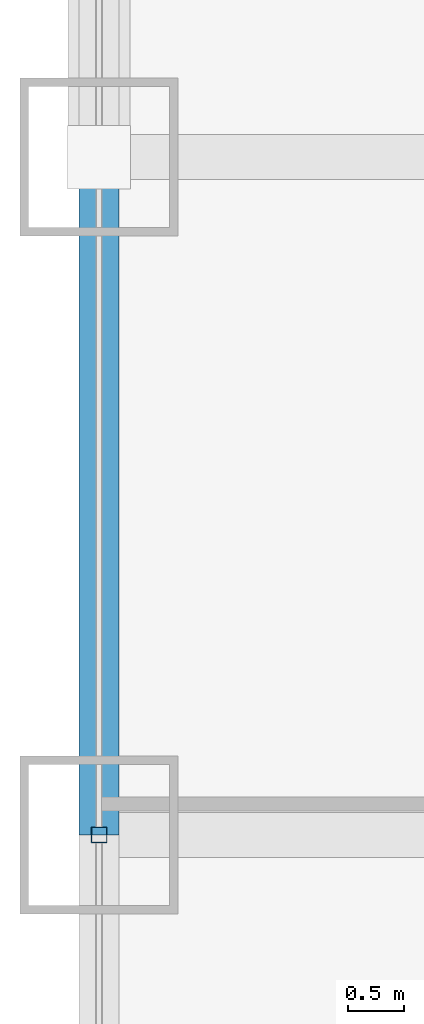
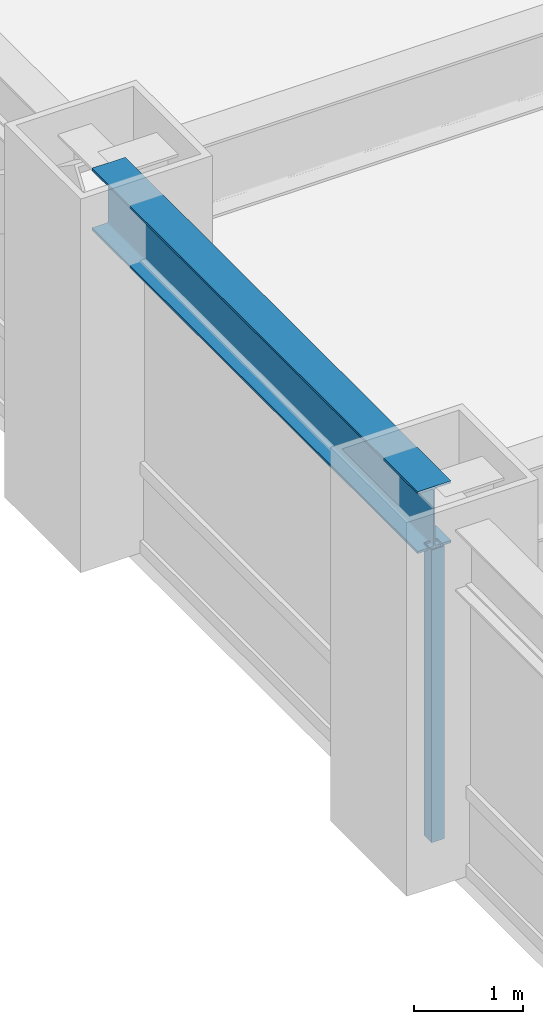
# One storey, part 8 of 32: 1 beam, 1 member, 1 element without a shape of its own.
"""IFC4 building model written with IfcOpenShell, lengths in metres."""

import ifcopenshell
import ifcopenshell.guid

model = None  # the IFC model being written
_history = None  # IfcOwnerHistory: only IFC2X3 demands one
_inside = {}  # id of a spatial element -> (the spatial element, [elements in it])
_under = {}  # id of a project, library or spatial element -> (it, [spatial elements below it])
_declared = {}  # id of a project -> (the project, [libraries it declares])
_typed = {}  # id of a type object -> (the type object, [elements of that type])
_made_of = {}  # id of a material, layer set ... -> (it, [elements and type objects made of it])


def new_model(schema):
    """Start an empty IFC model of exactly this schema.

    Asked for "IFC4X3", IfcOpenShell would pick the latest addendum, in which some entities
    have other attributes; the version numbers below select the first issue.
    IFC2X3 requires an IfcOwnerHistory on every rooted entity: one is made here for all.
    """
    global model, _history
    if schema == "IFC4X3":
        model = ifcopenshell.file(schema_version=(4, 3, 0, 0))
    else:
        model = ifcopenshell.file(schema=schema)
    _inside.clear()
    _under.clear()
    _declared.clear()
    _typed.clear()
    _made_of.clear()
    _history = None
    if model.schema == "IFC2X3":
        org = make("IfcOrganization", Name="unknown")
        user = make(
            "IfcPersonAndOrganization",
            ThePerson=make("IfcPerson", FamilyName="unknown"),
            TheOrganization=org,
        )
        app = make(
            "IfcApplication",
            ApplicationDeveloper=org,
            Version="unknown",
            ApplicationFullName="unknown",
            ApplicationIdentifier="unknown",
        )
        _history = make(
            "IfcOwnerHistory",
            OwningUser=user,
            OwningApplication=app,
            ChangeAction="ADDED",
            CreationDate=0,
        )
    return model


def make(cls, **values):
    """One entity of the class cls with the attributes given. An attribute that is None is left unset."""
    return model.create_entity(
        cls, **{name: value for name, value in values.items() if value is not None}
    )


def rooted(cls, **values):
    """An entity with a GlobalId (a new one), such as an element, a storey or a relation."""
    return make(cls, GlobalId=ifcopenshell.guid.new(), OwnerHistory=_history, **values)


def si_unit(unit_type, name, prefix=None):
    """IfcSIUnit, for example si_unit("LENGTHUNIT", "METRE", prefix="MILLI")."""
    return make("IfcSIUnit", UnitType=unit_type, Prefix=prefix, Name=name)


def assignment(units):
    """IfcUnitAssignment: the units of a project."""
    return None if units is None else make("IfcUnitAssignment", Units=units)


def point(xyz):
    """IfcCartesianPoint."""
    return None if xyz is None else make("IfcCartesianPoint", Coordinates=xyz)


def direction(xyz):
    """IfcDirection."""
    return None if xyz is None else make("IfcDirection", DirectionRatios=xyz)


def frame(location, z_axis=None, x_axis=None):
    """IfcAxis2Placement3D, a coordinate frame: its origin and axes. An axis left out is left unset."""
    return make(
        "IfcAxis2Placement3D",
        Location=point(location),
        Axis=direction(z_axis),
        RefDirection=direction(x_axis),
    )


def frame_2d(location, x_axis=None):
    """IfcAxis2Placement2D, a coordinate frame in the plane: its origin and x axis."""
    return make(
        "IfcAxis2Placement2D", Location=point(location), RefDirection=direction(x_axis)
    )


def origin():
    """The frame at (0, 0, 0) with its axes left unset."""
    return frame((0.0, 0.0, 0.0))


def origin_2d():
    """The frame at (0, 0) in the plane with its x axis left unset."""
    return frame_2d((0.0, 0.0))


def place(relative_to, where):
    """IfcLocalPlacement: puts the frame where relative to a parent placement (None: the world)."""
    return make(
        "IfcLocalPlacement", PlacementRelTo=relative_to, RelativePlacement=where
    )


def context(
    kind, dimensions, precision=None, world=None, true_north=None, identifier=None
):
    """IfcGeometricRepresentationContext, for example the 3D "Model" context."""
    return make(
        "IfcGeometricRepresentationContext",
        ContextIdentifier=identifier,
        ContextType=kind,
        CoordinateSpaceDimension=dimensions,
        Precision=precision,
        WorldCoordinateSystem=world,
        TrueNorth=true_north,
    )


def subcontext(parent, identifier, kind, view, scale=None):
    """IfcGeometricRepresentationSubContext, for example "Body" below "Model"."""
    return make(
        "IfcGeometricRepresentationSubContext",
        ContextIdentifier=identifier,
        ContextType=kind,
        ParentContext=parent,
        TargetScale=scale,
        TargetView=view,
    )


def project(units=None, contexts=None):
    """IfcProject with its units and contexts."""
    return rooted(
        "IfcProject",
        Name="project",
        RepresentationContexts=contexts,
        UnitsInContext=assignment(units),
    )


def spatial(cls, under=None, at=None, **own):
    """A site, building, storey or space (cls), placed at a placement, below another one or the project."""
    s = rooted(cls, ObjectPlacement=at, **own)
    if under is not None:
        _under.setdefault(under.id(), (under, []))[1].append(s)
    return s


def profile(cls, at=None, kind="AREA", **sizes):
    """A parametric profile (cls). Its sizes go by their IFC names, for example OverallWidth=200.0."""
    return make(cls, ProfileType=kind, Position=at, **sizes)


def hollow_rectangle(**sizes):
    """IfcRectangleHollowProfileDef."""
    return profile("IfcRectangleHollowProfileDef", **sizes)


def i_section(**sizes):
    """IfcIShapeProfileDef."""
    return profile("IfcIShapeProfileDef", **sizes)


def extrude(swept, where, along, depth):
    """IfcExtrudedAreaSolid: the profile swept, set in the frame where, extruded along a direction by depth."""
    return make(
        "IfcExtrudedAreaSolid",
        SweptArea=swept,
        Position=where,
        ExtrudedDirection=direction(along),
        Depth=depth,
    )


def shape(context_of_items, identifier, shape_type, items):
    """IfcShapeRepresentation: the items that make up one representation, for example the "Body"."""
    return make(
        "IfcShapeRepresentation",
        ContextOfItems=context_of_items,
        RepresentationIdentifier=identifier,
        RepresentationType=shape_type,
        Items=items,
    )


def source(mapping_origin, context_of_items, identifier, shape_type, items):
    """IfcRepresentationMap: a shape defined once, which mapped items show again and again."""
    return make(
        "IfcRepresentationMap",
        MappingOrigin=mapping_origin,
        MappedRepresentation=shape(context_of_items, identifier, shape_type, items),
    )


def transform(
    local_origin,
    x_axis=None,
    y_axis=None,
    z_axis=None,
    scale=None,
    scale2=None,
    scale3=None,
    uniform=True,
):
    """IfcCartesianTransformationOperator3D, or its non-uniform kind. x_axis, y_axis, z_axis: its Axis1, 2, 3."""
    if uniform:
        return make(
            "IfcCartesianTransformationOperator3D",
            Axis1=direction(x_axis),
            Axis2=direction(y_axis),
            LocalOrigin=point(local_origin),
            Scale=scale,
            Axis3=direction(z_axis),
        )
    return make(
        "IfcCartesianTransformationOperator3DnonUniform",
        Axis1=direction(x_axis),
        Axis2=direction(y_axis),
        LocalOrigin=point(local_origin),
        Scale=scale,
        Axis3=direction(z_axis),
        Scale2=scale2,
        Scale3=scale3,
    )


def mapped(mapping_source, mapping_target):
    """IfcMappedItem: shows the shape of a source again, moved by a transform."""
    return make(
        "IfcMappedItem", MappingSource=mapping_source, MappingTarget=mapping_target
    )


def material(Name=None, Category=None):
    """IfcMaterial."""
    return make("IfcMaterial", Name=Name, Category=Category)


def material_profile(
    of_material, cross_section, Name=None, Category=None, Priority=None
):
    """IfcMaterialProfile: a cross section and its material."""
    return make(
        "IfcMaterialProfile",
        Name=Name,
        Material=of_material,
        Profile=cross_section,
        Priority=Priority,
        Category=Category,
    )


def profile_set(profiles, Name=None, composite=None):
    """IfcMaterialProfileSet."""
    return make(
        "IfcMaterialProfileSet",
        Name=Name,
        MaterialProfiles=profiles,
        CompositeProfile=composite,
    )


def made_of(thing, what):
    """Note that an element or type object is made of a material, layer set ...; save() writes the relation."""
    if what is not None:
        _made_of.setdefault(what.id(), (what, []))[1].append(thing)
    return thing


def type_object(cls, material=None, **own):
    """A type object (cls), such as IfcWallType, which elements share."""
    return made_of(rooted(cls, **own), material)


def element(
    cls,
    number,
    at=None,
    inside=None,
    cuts=None,
    type_object=None,
    material=None,
    context=None,
    identifier="Body",
    shape_type=None,
    held_by="IfcProductDefinitionShape",
    body=None,
    shapes=None,
    **own,
):
    """One element of the class cls, such as IfcWall. Its Tag is "e" and its number.

    at: its placement. inside: the storey or other place that contains it. cuts: it is an
    opening in that element (IfcRelVoidsElement). A single representation is given by context,
    identifier, shape_type and body (its items); several are given by shapes. held_by: the class
    of the entity that holds the representations. save() writes the other relations.
    """
    e = rooted(cls, Tag="e%d" % number, ObjectPlacement=at, **own)
    if body is not None:
        shapes = [shape(context, identifier, shape_type, body)]
    if shapes is not None:
        e.Representation = make(held_by, Representations=shapes)
    if inside is not None:
        _inside.setdefault(inside.id(), (inside, []))[1].append(e)
    if cuts is not None:
        rooted(
            "IfcRelVoidsElement", RelatingBuildingElement=cuts, RelatedOpeningElement=e
        )
    if type_object is not None:
        _typed.setdefault(type_object.id(), (type_object, []))[1].append(e)
    return made_of(e, material)


def aggregate(whole, parts):
    """IfcRelAggregates: a whole, such as a stair, and the parts it consists of."""
    return rooted("IfcRelAggregates", RelatingObject=whole, RelatedObjects=parts)


def save(model, path):
    """Write the relations noted so far, then the file.

    IfcRelAggregates (storeys below a building ...), IfcRelContainedInSpatialStructure (elements
    in a storey), IfcRelDefinesByType, IfcRelAssociatesMaterial and IfcRelDeclares: one each for
    every whole, place, type object, material and project.
    """
    for whole, parts in _under.values():
        aggregate(whole, parts)
    for where, things in _inside.values():
        rooted(
            "IfcRelContainedInSpatialStructure",
            RelatedElements=things,
            RelatingStructure=where,
        )
    for kind, things in _typed.values():
        rooted("IfcRelDefinesByType", RelatedObjects=things, RelatingType=kind)
    for what, things in _made_of.values():
        rooted("IfcRelAssociatesMaterial", RelatedObjects=things, RelatingMaterial=what)
    for by, libraries in _declared.values():
        rooted("IfcRelDeclares", RelatingContext=by, RelatedDefinitions=libraries)
    model.write(path)


model = new_model("IFC4")

# Units and contexts
model_context = context("Model", 3, precision=1e-05, world=origin(), true_north=direction((0.0, 1.0)))
body_context = subcontext(model_context, "Body", "Model", "MODEL_VIEW")
ifc_project = project(units=[si_unit("LENGTHUNIT", "METRE"), si_unit("AREAUNIT", "SQUARE_METRE"), si_unit("VOLUMEUNIT", "CUBIC_METRE"), si_unit("PLANEANGLEUNIT", "RADIAN"), si_unit("MASSUNIT", "GRAM", prefix="KILO")], contexts=[model_context])

# Site, building, storey
site_placement = place(None, origin())
site = spatial("IfcSite", under=ifc_project, at=site_placement, CompositionType="ELEMENT")
building_placement = place(site_placement, origin())
building = spatial("IfcBuilding", under=site, at=building_placement, Name="Khorayat Bourse Tower", CompositionType="ELEMENT")
storey_placement = place(building_placement, frame((0.0, 0.0, 70.39990234375)))
storey = spatial("IfcBuildingStorey", under=building, at=storey_placement, Name="L15", CompositionType="ELEMENT", Elevation=70.39990234375)

# Beam
ifc_material_1 = material(Name="Steel ASTM A992 Grade 50", Category="steel")
ifc_material_profile_1 = material_profile(ifc_material_1, i_section(OverallWidth=0.35498046875, OverallDepth=0.695068359375, WebThickness=0.015380859375, FlangeThickness=0.02490234375, FilletRadius=0.01806640625, at=origin_2d()), Name="W690X217")
ifc_profile_set_1 = profile_set([ifc_material_profile_1], Name="Steel ASTM A992 Grade 50")
beam_type = type_object("IfcBeamType", Name="BM-SPAN-690", PredefinedType="SPANDREL", material=ifc_profile_set_1)
shared_shape_1 = source(origin(), body_context, "Body", "SweptSolid", [
    extrude(i_section(OverallWidth=0.35498046875, OverallDepth=0.695068359375, WebThickness=0.015380859375, FlangeThickness=0.02490234375, FilletRadius=0.01806640625, at=origin_2d()), origin(), (0.0, 0.0, 1.0), 6.0),
])
beam_placement = place(storey_placement, frame((-32.0, 0.0, 3.592529296875), z_axis=(0.0, 1.0, 0.0), x_axis=(-1.0, 0.0, 0.0)))
element("IfcBeam", 1, at=beam_placement, inside=storey, type_object=beam_type, Name="L15 BM-SPAN-690 BM-L15-SPN-057", PredefinedType="SPANDREL", context=body_context, shape_type="MappedRepresentation", body=[
    mapped(shared_shape_1, transform((0.0, 0.0, 0.0), scale=1.0)),
])

# Curtain wall, member
ifc_material_2 = material(Name="Aluminium EN AW-6063 T6", Category="aluminium")
curtain_wall_type = type_object("IfcCurtainWallType", Name="CW-SYS-02", PredefinedType="NOTDEFINED", material=ifc_material_2)
curtain_wall_placement = place(storey_placement, origin())
curtain_wall = element("IfcCurtainWall", 2, at=curtain_wall_placement, inside=storey, type_object=curtain_wall_type, Name="L15 Curtain Wall CW-L15-W1", PredefinedType="NOTDEFINED")
ifc_material_profile_2 = material_profile(ifc_material_2, hollow_rectangle(XDim=0.139892578125, YDim=0.139892578125, WallThickness=0.006103515625, at=origin_2d()), Name="ALU 140x140x6")
ifc_profile_set_2 = profile_set([ifc_material_profile_2], Name="Aluminium EN AW-6063 T6")
member_type = type_object("IfcMemberType", Name="CWM-VERT-140", PredefinedType="MULLION", material=ifc_profile_set_2)
shared_shape_2 = source(origin(), body_context, "Body", "SweptSolid", [
    extrude(hollow_rectangle(XDim=0.139892578125, YDim=0.139892578125, WallThickness=0.006103515625, at=origin_2d()), origin(), (0.0, 0.0, 1.0), 3.2900390625),
])
member_placement = place(storey_placement, frame((-32.0, 0.0, 0.0), z_axis=(0.0, 0.0, 1.0), x_axis=(-1.0, 0.0, 0.0)))
member = element("IfcMember", 3, at=member_placement, type_object=member_type, Name="CW-L15-W1 Vertical Mullion 2", PredefinedType="MULLION", context=body_context, shape_type="MappedRepresentation", body=[
    mapped(shared_shape_2, transform((0.0, 0.0, 0.0), scale=1.0)),
])
aggregate(curtain_wall, [member])

save(model, "model.ifc")
